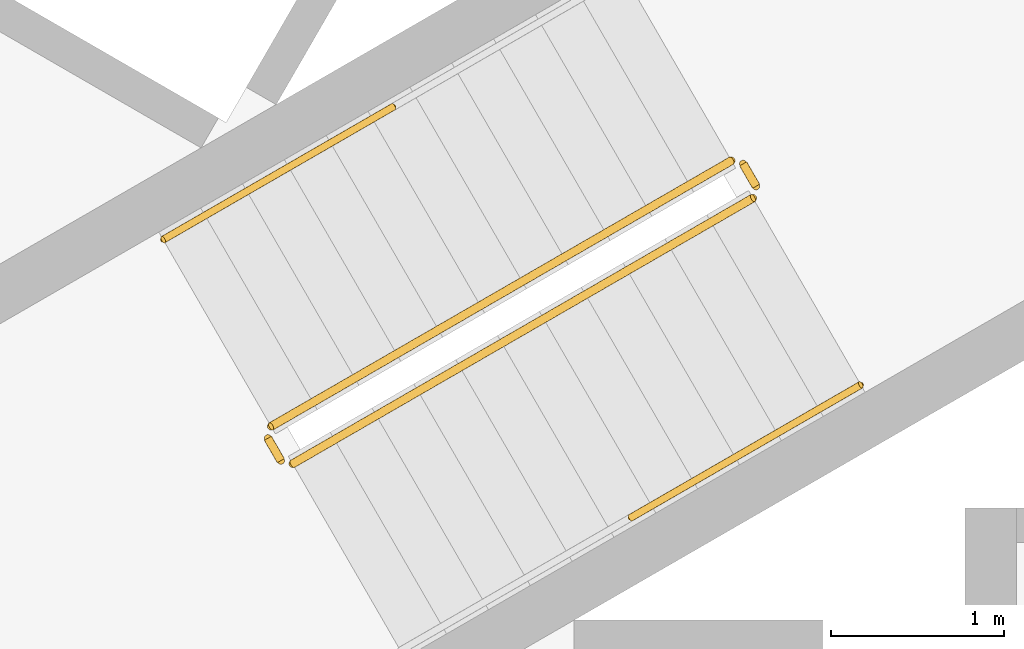
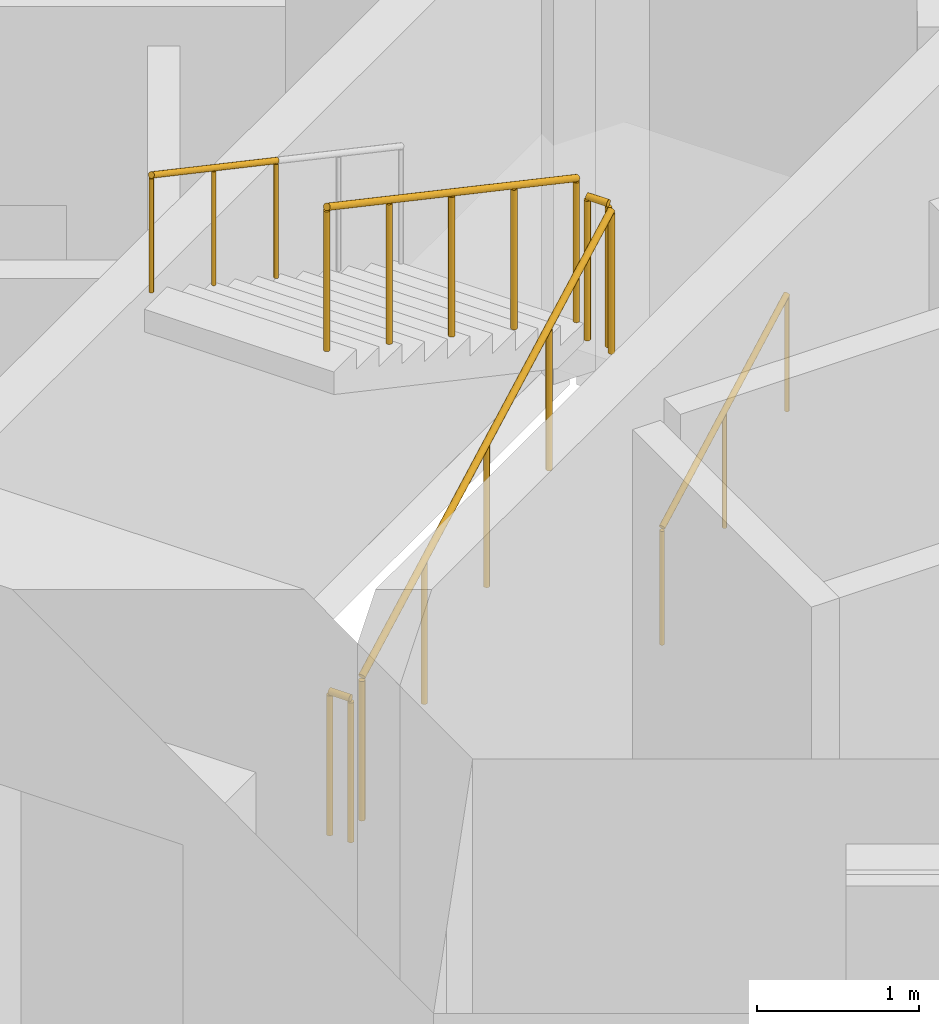
# One storey, part 12 of 17: 6 railings.
"""IFC4 building model written with IfcOpenShell, lengths in metres."""

from ifc_helpers import new_model, si_unit, direction, frame, origin, origin_2d, place, context, subcontext, project, spatial, circle, extrude, material, type_object, element, save


model = new_model("IFC4")

# Units and contexts
model_context = context("Model", 3, precision=1e-05, world=origin(), true_north=direction((0.0, 1.0)))
body_context = subcontext(model_context, "Body", "Model", "MODEL_VIEW")
ifc_project = project(units=[si_unit("LENGTHUNIT", "METRE"), si_unit("AREAUNIT", "SQUARE_METRE"), si_unit("VOLUMEUNIT", "CUBIC_METRE"), si_unit("PLANEANGLEUNIT", "RADIAN"), si_unit("MASSUNIT", "GRAM", prefix="KILO")], contexts=[model_context])

# Site, building, storey
site_placement = place(None, origin())
site = spatial("IfcSite", under=ifc_project, at=site_placement, CompositionType="ELEMENT")
building_placement = place(site_placement, origin())
building = spatial("IfcBuilding", under=site, at=building_placement, Name="Trine Commons Tower", CompositionType="ELEMENT")
storey_placement = place(building_placement, frame((0.0, 0.0, 179.10009765625)))
storey = spatial("IfcBuildingStorey", under=building, at=storey_placement, Name="L46", CompositionType="ELEMENT", Elevation=179.10009765625)

# Railings
ifc_material_1 = material(Name="Stainless steel balustrade", Category="steel")
railing_type_1 = type_object("IfcRailingType", Name="Stair guard, steel balustrade 1100", PredefinedType="GUARDRAIL", material=ifc_material_1)
railing_1_placement = place(storey_placement, frame((74.80517578125, 59.3564453125, 0.14990234375)))
element("IfcRailing", 1, at=railing_1_placement, inside=storey, type_object=railing_type_1, Name="L46 ST2B stair guard 1", PredefinedType="GUARDRAIL", context=body_context, shape_type="SweptSolid", body=[
    extrude(circle(Radius=0.02392578125, at=origin_2d()), frame((0.0, 0.0, 1.076171875), z_axis=(0.76340495495, 0.440743040072, 0.472184759798), x_axis=(-0.499992328818, 0.866029832698, 0.0)), (0.0, 0.0, 1.0), 3.494140625),
    extrude(circle(Radius=0.02099609375, at=origin_2d()), origin(), (0.0, 0.0, 1.0), 1.052001953125),
    extrude(circle(Radius=0.02099609375, at=origin_2d()), frame((0.6669921875, 0.385009765625, 0.41259765625)), (0.0, 0.0, 1.0), 1.052001953125),
    extrude(circle(Radius=0.02099609375, at=origin_2d()), frame((1.333740234375, 0.77001953125, 0.824951171875)), (0.0, 0.0, 1.0), 1.052001953125),
    extrude(circle(Radius=0.02099609375, at=origin_2d()), frame((2.00048828125, 1.155029296875, 1.2373046875)), (0.0, 0.0, 1.0), 1.052001953125),
    extrude(circle(Radius=0.02099609375, at=origin_2d()), frame((2.66748046875, 1.5400390625, 1.64990234375)), (0.0, 0.0, 1.0), 1.052001953125),
])
railing_2_placement = place(storey_placement, frame((77.490966796875, 60.96484375, 1.7998046875)))
element("IfcRailing", 2, at=railing_2_placement, inside=storey, type_object=railing_type_1, Name="L46 ST2B stair guard 2", PredefinedType="GUARDRAIL", context=body_context, shape_type="SweptSolid", body=[
    extrude(circle(Radius=0.02392578125, at=origin_2d()), frame((0.0, 0.0, 1.076171875), z_axis=(-0.501036270542, 0.865426285481, 0.0), x_axis=(-0.865426285481, -0.501036270542, 0.0)), (0.0, 0.0, 1.0), 0.150146484375),
    extrude(circle(Radius=0.02099609375, at=origin_2d()), origin(), (0.0, 0.0, 1.0), 1.052001953125),
    extrude(circle(Radius=0.02099609375, at=origin_2d()), frame((-0.0751953125, 0.1298828125, 0.0)), (0.0, 0.0, 1.0), 1.052001953125),
])
railing_3_placement = place(storey_placement, frame((77.34765625, 61.113037109375, 1.949951171875)))
element("IfcRailing", 3, at=railing_3_placement, inside=storey, type_object=railing_type_1, Name="L46 ST2B stair guard 3", PredefinedType="GUARDRAIL", context=body_context, shape_type="SweptSolid", body=[
    extrude(circle(Radius=0.02392578125, at=origin_2d()), frame((0.0, 0.0, 1.076171875), z_axis=(-0.76340495495, -0.440743040072, 0.472184759798), x_axis=(0.499992328818, -0.866029832698, 0.0)), (0.0, 0.0, 1.0), 3.494140625),
    extrude(circle(Radius=0.02099609375, at=origin_2d()), origin(), (0.0, 0.0, 1.0), 1.052001953125),
    extrude(circle(Radius=0.02099609375, at=origin_2d()), frame((-0.6669921875, -0.385009765625, 0.41259765625)), (0.0, 0.0, 1.0), 1.052001953125),
    extrude(circle(Radius=0.02099609375, at=origin_2d()), frame((-1.333740234375, -0.77001953125, 0.824951171875)), (0.0, 0.0, 1.0), 1.052001953125),
    extrude(circle(Radius=0.02099609375, at=origin_2d()), frame((-2.00048828125, -1.155029296875, 1.2373046875)), (0.0, 0.0, 1.0), 1.052001953125),
    extrude(circle(Radius=0.02099609375, at=origin_2d()), frame((-2.66748046875, -1.5400390625, 1.64990234375)), (0.0, 0.0, 1.0), 1.052001953125),
])
railing_4_placement = place(storey_placement, frame((74.73681640625, 59.374755859375, 0.0)))
element("IfcRailing", 4, at=railing_4_placement, inside=storey, type_object=railing_type_1, Name="L46 ST2B stair guard 4", PredefinedType="GUARDRAIL", context=body_context, shape_type="SweptSolid", body=[
    extrude(circle(Radius=0.02392578125, at=origin_2d()), frame((0.0, 0.0, 1.076171875), z_axis=(-0.499816412211, 0.866131372301, 0.0), x_axis=(-0.866131372301, -0.499816412211, 0.0)), (0.0, 0.0, 1.0), 0.14990234375),
    extrude(circle(Radius=0.02099609375, at=origin_2d()), origin(), (0.0, 0.0, 1.0), 1.052001953125),
    extrude(circle(Radius=0.02099609375, at=origin_2d()), frame((-0.074951171875, 0.1298828125, 0.0)), (0.0, 0.0, 1.0), 1.052001953125),
])
ifc_material_2 = material(Name="Stainless steel handrail", Category="steel")
railing_type_2 = type_object("IfcRailingType", Name="Stair handrail, steel 900", PredefinedType="HANDRAIL", material=ifc_material_2)
railing_5_placement = place(storey_placement, frame((76.763916015625, 59.0439453125, 0.974853515625)))
element("IfcRailing", 5, at=railing_5_placement, inside=storey, type_object=railing_type_2, Name="L46 ST2B stair handrail 2", PredefinedType="HANDRAIL", context=body_context, shape_type="SweptSolid", body=[
    extrude(circle(Radius=0.02099609375, at=origin_2d()), frame((0.0, 0.0, 0.87890625), z_axis=(0.76340495495, 0.440743040072, 0.472184759798), x_axis=(-0.499992328818, 0.866029832698, 0.0)), (0.0, 0.0, 1.0), 1.7470703125),
    extrude(circle(Radius=0.01513671875, at=origin_2d()), origin(), (0.0, 0.0, 1.0), 0.85791015625),
    extrude(circle(Radius=0.01513671875, at=origin_2d()), frame((0.6669921875, 0.385009765625, 0.41259765625)), (0.0, 0.0, 1.0), 0.85791015625),
    extrude(circle(Radius=0.01513671875, at=origin_2d()), frame((1.333740234375, 0.77001953125, 0.824951171875)), (0.0, 0.0, 1.0), 0.85791015625),
])
railing_6_placement = place(storey_placement, frame((75.388916015625, 61.425537109375, 2.77490234375)))
element("IfcRailing", 6, at=railing_6_placement, inside=storey, type_object=railing_type_2, Name="L46 ST2B stair handrail 4", PredefinedType="HANDRAIL", context=body_context, shape_type="SweptSolid", body=[
    extrude(circle(Radius=0.02099609375, at=origin_2d()), frame((0.0, 0.0, 0.87890625), z_axis=(-0.76340495495, -0.440743040072, 0.472184759798), x_axis=(0.499992328818, -0.866029832698, 0.0)), (0.0, 0.0, 1.0), 1.7470703125),
    extrude(circle(Radius=0.01513671875, at=origin_2d()), origin(), (0.0, 0.0, 1.0), 0.85791015625),
    extrude(circle(Radius=0.01513671875, at=origin_2d()), frame((-0.6669921875, -0.385009765625, 0.41259765625)), (0.0, 0.0, 1.0), 0.85791015625),
    extrude(circle(Radius=0.01513671875, at=origin_2d()), frame((-1.333740234375, -0.77001953125, 0.824951171875)), (0.0, 0.0, 1.0), 0.85791015625),
])

save(model, "model.ifc")
